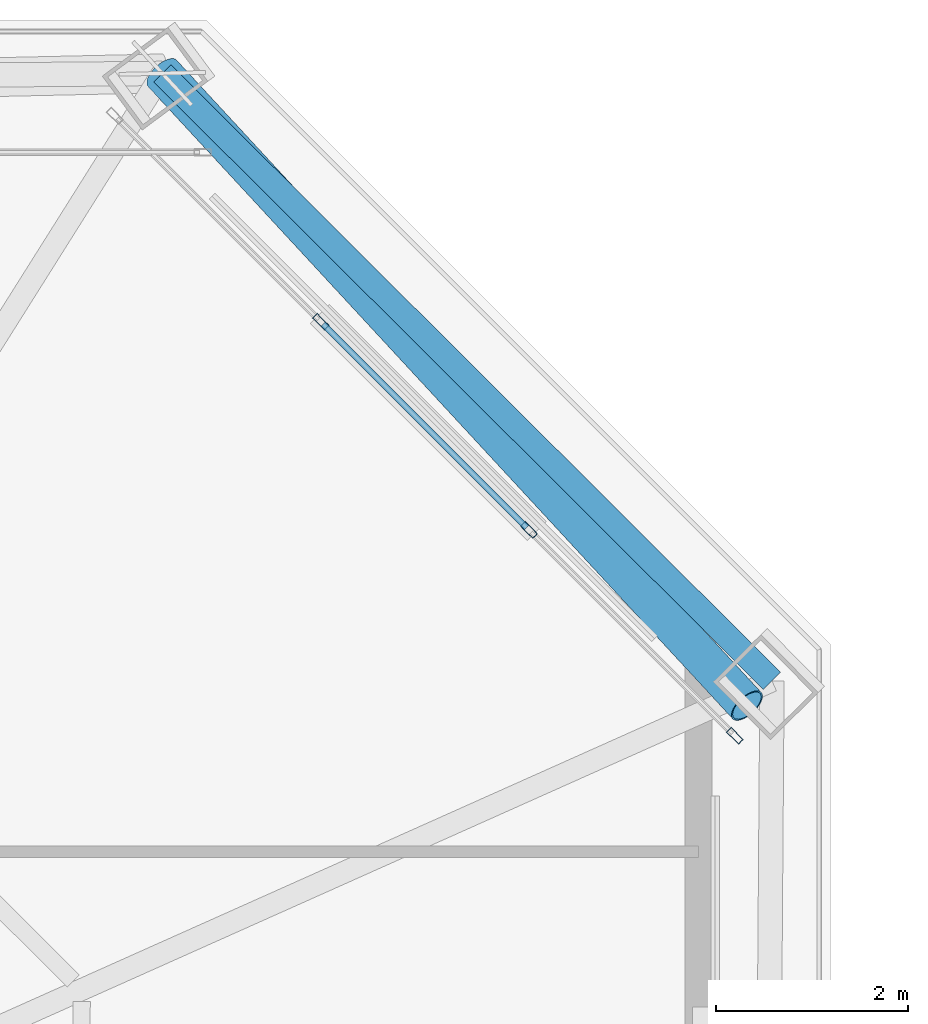
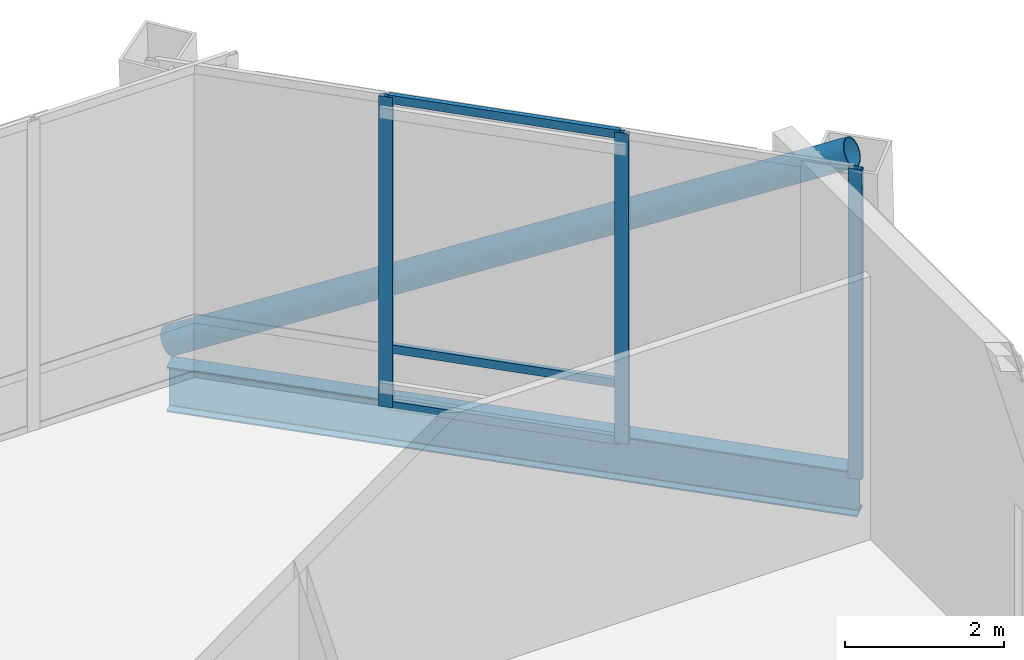
# One storey, part 24 of 34: 7 members, 1 beam, 1 element without a shape of its own.
"""IFC4 building model written with IfcOpenShell, lengths in metres."""

from ifc_helpers import new_model, si_unit, direction, frame, origin, origin_2d, place, context, subcontext, project, spatial, hollow_rectangle, hollow_circle, i_section, extrude, material, layer, layer_set, material_profile, profile_set, type_object, element, aggregate, save


model = new_model("IFC4")

# Units and contexts
model_context = context("Model", 3, precision=1e-05, world=origin(), true_north=direction((0.0, 1.0)))
body_context = subcontext(model_context, "Body", "Model", "MODEL_VIEW")
ifc_project = project(units=[si_unit("LENGTHUNIT", "METRE"), si_unit("AREAUNIT", "SQUARE_METRE"), si_unit("VOLUMEUNIT", "CUBIC_METRE"), si_unit("PLANEANGLEUNIT", "RADIAN"), si_unit("MASSUNIT", "GRAM", prefix="KILO")], contexts=[model_context])

# Site, building, storey
site_placement = place(None, origin())
site = spatial("IfcSite", under=ifc_project, at=site_placement, CompositionType="ELEMENT")
building_placement = place(site_placement, origin())
building = spatial("IfcBuilding", under=site, at=building_placement, Name="Caelvoria Tower", CompositionType="ELEMENT")
storey_placement = place(building_placement, frame((0.0, 0.0, 172.0)))
storey = spatial("IfcBuildingStorey", under=building, at=storey_placement, Name="L45", CompositionType="ELEMENT", Elevation=172.0)

# Curtain wall, members
ifc_material_1 = material(Name="Anodised Bronze Aluminium and Low-E Glass", Category="aluminium")
ifc_layer = layer(ifc_material_1, 0.2099609375, Name="Anodised Bronze Aluminium and Low-E Glass")
ifc_layer_set = layer_set([ifc_layer], Name="CW System 3 Sky Lobby Double-Height Acoustic Facade - Anodised Bronze Aluminium and Low-E Glass")
curtain_wall_type = type_object("IfcCurtainWallType", Name="CW System 3 Sky Lobby Double-Height Acoustic Facade", PredefinedType="NOTDEFINED", material=ifc_layer_set)
curtain_wall_placement = place(storey_placement, origin())
curtain_wall = element("IfcCurtainWall", 1, at=curtain_wall_placement, inside=storey, type_object=curtain_wall_type, Name="CW-03 Curtain Wall L45-E3", PredefinedType="NOTDEFINED")
ifc_material_2 = material(Name="Anodised Bronze Architectural Aluminium", Category="aluminium")
ifc_material_profile_1 = material_profile(ifc_material_2, hollow_rectangle(XDim=0.070068359375, YDim=0.179931640625, WallThickness=0.00390625, at=origin_2d()), Name="Anodised Bronze Architectural Aluminium")
ifc_profile_set_1 = profile_set([ifc_material_profile_1], Name="CW_MULL_70X180 - Anodised Bronze Architectural Aluminium")
member_type_1 = type_object("IfcMemberType", Name="Curtain Wall Mullion 70x180 Bronze Aluminium", PredefinedType="MULLION", material=ifc_profile_set_1)
member_1_placement = place(storey_placement, frame((69.01953125, 45.868896484375, 0.0), z_axis=(0.0, 0.0, 1.0), x_axis=(-0.707106781187, -0.707106781187, 0.0)))
member_1 = element("IfcMember", 2, at=member_1_placement, type_object=member_type_1, Name="CW-03 mullion 1", PredefinedType="MULLION", context=body_context, shape_type="SweptSolid", body=[
    extrude(hollow_rectangle(XDim=0.070068359375, YDim=0.179931640625, WallThickness=0.00390625, at=origin_2d()), origin(), (0.0, 0.0, 1.0), 4.760009765625),
])
member_2_placement = place(storey_placement, frame((66.870849609375, 48.017578125, 0.0), z_axis=(0.0, 0.0, 1.0), x_axis=(-0.707106781187, -0.707106781187, 0.0)))
member_2 = element("IfcMember", 3, at=member_2_placement, type_object=member_type_1, Name="CW-03 mullion 2", PredefinedType="MULLION", context=body_context, shape_type="SweptSolid", body=[
    extrude(hollow_rectangle(XDim=0.070068359375, YDim=0.179931640625, WallThickness=0.00390625, at=origin_2d()), origin(), (0.0, 0.0, 1.0), 4.760009765625),
])
member_3_placement = place(storey_placement, frame((64.697509765625, 50.19091796875, 0.0), z_axis=(0.0, 0.0, 1.0), x_axis=(-0.707106781187, -0.707106781187, 0.0)))
member_3 = element("IfcMember", 4, at=member_3_placement, type_object=member_type_1, Name="CW-03 mullion 3", PredefinedType="MULLION", context=body_context, shape_type="SweptSolid", body=[
    extrude(hollow_rectangle(XDim=0.070068359375, YDim=0.179931640625, WallThickness=0.00390625, at=origin_2d()), origin(), (0.0, 0.0, 1.0), 4.760009765625),
])
ifc_material_profile_2 = material_profile(ifc_material_2, hollow_rectangle(XDim=0.06494140625, YDim=0.1298828125, WallThickness=0.00341796875, at=origin_2d()), Name="Anodised Bronze Architectural Aluminium")
ifc_profile_set_2 = profile_set([ifc_material_profile_2], Name="CW_TRAN_65X130 - Anodised Bronze Architectural Aluminium")
member_type_2 = type_object("IfcMemberType", Name="Curtain Wall Transom 65x130 Bronze Aluminium", PredefinedType="USERDEFINED", material=ifc_profile_set_2)
member_4_placement = place(storey_placement, frame((66.84619140625, 48.042236328125, 0.032470703125), z_axis=(-0.707147420675, 0.707066139362, 0.0), x_axis=(-0.707066139362, -0.707147420675, 0.0)))
member_4 = element("IfcMember", 5, at=member_4_placement, type_object=member_type_2, Name="CW-03 transom 2.1", ObjectType="TRANSOM", PredefinedType="USERDEFINED", context=body_context, shape_type="SweptSolid", body=[
    extrude(hollow_rectangle(XDim=0.06494140625, YDim=0.1298828125, WallThickness=0.00341796875, at=origin_2d()), origin(), (0.0, 0.0, 1.0), 3.003662109375),
])
member_5_placement = place(storey_placement, frame((66.84619140625, 48.042236328125, 0.89990234375), z_axis=(-0.707147420675, 0.707066139362, 0.0), x_axis=(-0.707066139362, -0.707147420675, 0.0)))
member_5 = element("IfcMember", 6, at=member_5_placement, type_object=member_type_2, Name="CW-03 transom 2.2", ObjectType="TRANSOM", PredefinedType="USERDEFINED", context=body_context, shape_type="SweptSolid", body=[
    extrude(hollow_rectangle(XDim=0.06494140625, YDim=0.1298828125, WallThickness=0.00341796875, at=origin_2d()), origin(), (0.0, 0.0, 1.0), 3.003662109375),
])
member_6_placement = place(storey_placement, frame((66.84619140625, 48.042236328125, 4.7275390625), z_axis=(-0.707147420675, 0.707066139362, 0.0), x_axis=(-0.707066139362, -0.707147420675, 0.0)))
member_6 = element("IfcMember", 7, at=member_6_placement, type_object=member_type_2, Name="CW-03 transom 2.3", ObjectType="TRANSOM", PredefinedType="USERDEFINED", context=body_context, shape_type="SweptSolid", body=[
    extrude(hollow_rectangle(XDim=0.06494140625, YDim=0.1298828125, WallThickness=0.00341796875, at=origin_2d()), origin(), (0.0, 0.0, 1.0), 3.003662109375),
])
aggregate(curtain_wall, [member_1, member_2, member_3, member_4, member_5, member_6])

# Beam
ifc_material_3 = material(Name="Structural Steel ASTM A992 Gr.50", Category="steel")
ifc_material_profile_3 = material_profile(ifc_material_3, i_section(OverallWidth=0.25390625, OverallDepth=0.68798828125, WebThickness=0.01318359375, FlangeThickness=0.02099609375, FilletRadius=0.01904296875, at=origin_2d()), Name="Structural Steel ASTM A992 Gr.50")
ifc_profile_set_3 = profile_set([ifc_material_profile_3], Name="W690X152 - Structural Steel ASTM A992 Gr.50")
beam_type = type_object("IfcBeamType", Name="Perimeter Spandrel Girder W690X152", PredefinedType="BEAM", material=ifc_profile_set_3)
beam_placement = place(storey_placement, frame((69.4072265625, 46.44189453125, -0.6640625), z_axis=(-0.708355747731, 0.705855604679, 0.0), x_axis=(-0.705855604679, -0.708355747731, 0.0)))
element("IfcBeam", 8, at=beam_placement, inside=storey, type_object=beam_type, Name="Perimeter Spandrel Girder L45-05", PredefinedType="BEAM", context=body_context, shape_type="SweptSolid", body=[
    extrude(i_section(OverallWidth=0.25390625, OverallDepth=0.68798828125, WebThickness=0.01318359375, FlangeThickness=0.02099609375, FilletRadius=0.01904296875, at=origin_2d()), origin(), (0.0, 0.0, 1.0), 8.98388671875),
])

# Member
ifc_material_4 = material(Name="Structural Steel ASTM A572 Gr.50", Category="steel")
ifc_material_profile_4 = material_profile(ifc_material_4, hollow_circle(Radius=0.202880859375, WallThickness=0.01611328125, at=origin_2d()), Name="Structural Steel ASTM A572 Gr.50")
ifc_profile_set_4 = profile_set([ifc_material_profile_4], Name="CHS406X16 - Structural Steel ASTM A572 Gr.50")
member_type_3 = type_object("IfcMemberType", Name="Upper Perimeter Mega Brace CHS406X16", PredefinedType="BRACE", material=ifc_profile_set_4)
member_7_placement = place(storey_placement, frame((63.04345703125, 52.783203125, 0.0), z_axis=(0.599990945007, -0.648838023463, 0.467995817523), x_axis=(0.734203347404, 0.678929631597, 0.0)))
element("IfcMember", 9, at=member_7_placement, inside=storey, type_object=member_type_3, Name="Perimeter Chamfer Mega Brace L45 NE", PredefinedType="BRACE", context=body_context, shape_type="SweptSolid", body=[
    extrude(hollow_circle(Radius=0.202880859375, WallThickness=0.01611328125, at=origin_2d()), origin(), (0.0, 0.0, 1.0), 10.171142578125),
])

save(model, "model.ifc")
